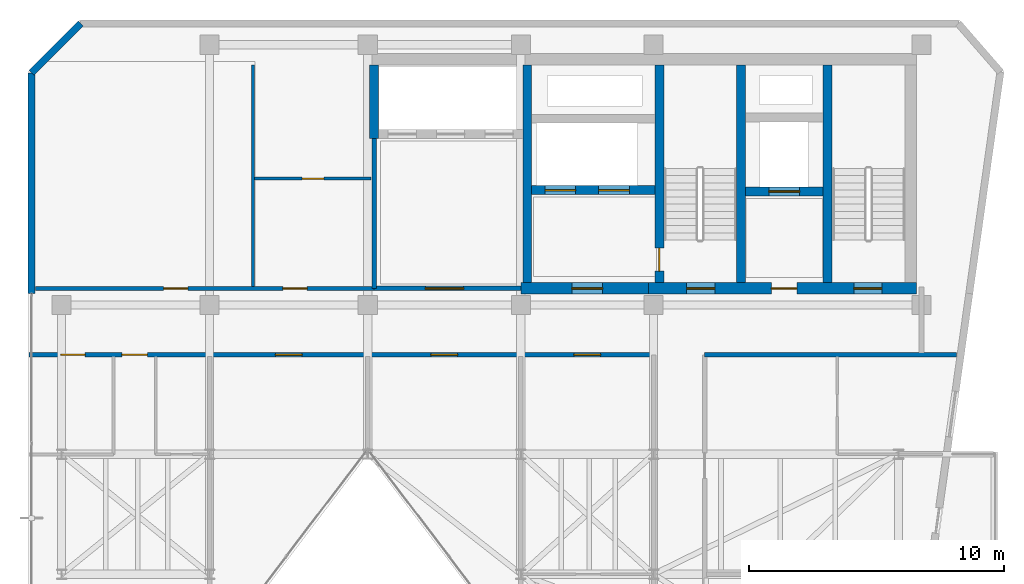
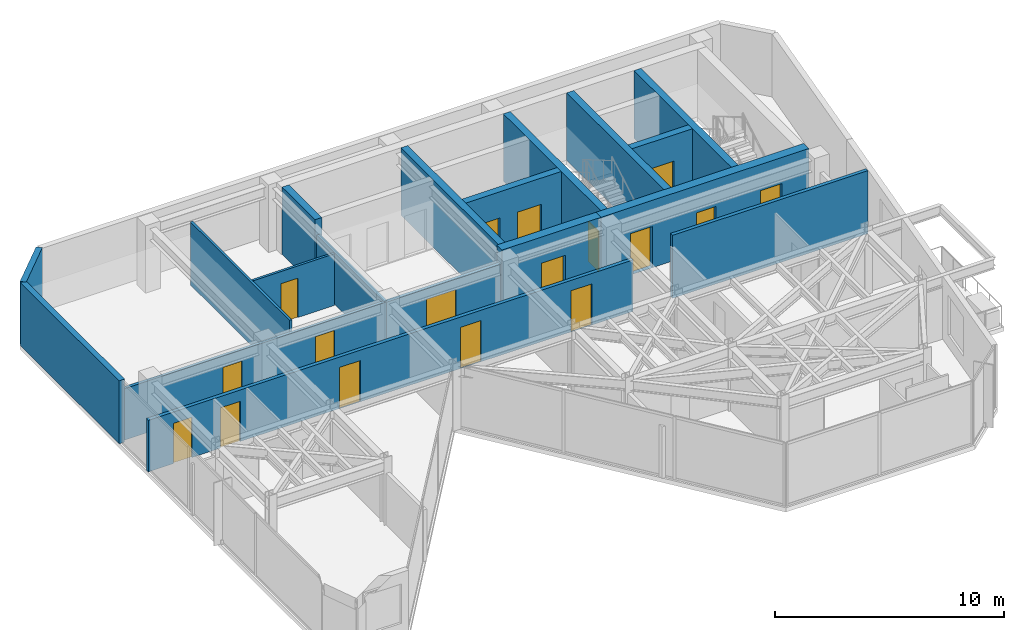
# One storey, part 14 of 17: 18 walls, 17 doors, 17 openings.
"""IFC4 building model written with IfcOpenShell, lengths in metres."""

from ifc_helpers import new_model, si_unit, direction, frame, frame_2d, origin, place, context, subcontext, project, spatial, rectangle, extrude, material, layer, layer_set, type_object, element, fill, save


model = new_model("IFC4")

# Units and contexts
model_context = context("Model", 3, precision=1e-05, world=origin(), true_north=direction((0.0, 1.0)))
body_context = subcontext(model_context, "Body", "Model", "MODEL_VIEW")
ifc_project = project(units=[si_unit("LENGTHUNIT", "METRE"), si_unit("AREAUNIT", "SQUARE_METRE"), si_unit("VOLUMEUNIT", "CUBIC_METRE"), si_unit("PLANEANGLEUNIT", "RADIAN"), si_unit("MASSUNIT", "GRAM", prefix="KILO")], contexts=[model_context])

# Site, building, storey
site_placement = place(None, origin())
site = spatial("IfcSite", under=ifc_project, at=site_placement, CompositionType="ELEMENT")
building_placement = place(site_placement, origin())
building = spatial("IfcBuilding", under=site, at=building_placement, Name="Kravanh Interchange Tower", CompositionType="ELEMENT")
storey_placement = place(building_placement, frame((0.0, 0.0, 289.5)))
storey = spatial("IfcBuildingStorey", under=building, at=storey_placement, Name="L71", CompositionType="ELEMENT", Elevation=289.5)

# Wall
ifc_material_1 = material(Name="Double Acoustic Gypsum Board and Mineral Wool")
ifc_layer_1 = layer(ifc_material_1, 0.1201171875)
ifc_layer_set_1 = layer_set([ifc_layer_1], Name="Acoustic Office Drywall Partition 120mm")
wall_type_1 = type_object("IfcWallType", Name="Acoustic Office Drywall Partition 120mm", PredefinedType="PARTITIONING", material=ifc_layer_set_1)
wall_1_placement = place(storey_placement, frame((40.300048828125, 38.068115234375, 0.0), z_axis=(0.0, 0.0, 1.0), x_axis=(0.0, 1.0, 0.0)))
element("IfcWall", 1, at=wall_1_placement, inside=storey, type_object=wall_type_1, Name="L71 Interior Partition 5", PredefinedType="PARTITIONING", context=body_context, shape_type="SweptSolid", body=[
    extrude(rectangle(XDim=8.681884765625, YDim=0.1201171875, at=frame_2d((4.3408203125, 0.0))), origin(), (0.0, 0.0, 1.0), 3.364990234375),
])

# Wall, opening, door
wall_2_placement = place(storey_placement, frame((40.367919921875, 42.300048828125, 0.0), z_axis=(0.0, 0.0, 1.0), x_axis=(1.0, 0.0, 0.0)))
wall_2 = element("IfcWall", 2, at=wall_2_placement, inside=storey, type_object=wall_type_1, Name="L71 Interior Partition 6", PredefinedType="PARTITIONING", context=body_context, shape_type="SweptSolid", body=[
    extrude(rectangle(XDim=4.56396484375, YDim=0.1201171875, at=frame_2d((2.281982421875, 0.0))), origin(), (0.0, 0.0, 1.0), 2.75390625),
])
opening_1_placement = place(wall_2_placement, frame((1.85693359375, 0.0, 0.0)))
opening_1 = element("IfcOpeningElement", 3, at=opening_1_placement, cuts=wall_2, Name="Opening D-85", PredefinedType="OPENING", context=body_context, shape_type="SweptSolid", body=[
    extrude(rectangle(XDim=0.85009765625, YDim=2.10009765625, at=frame_2d((0.425048828125, 1.050048828125))), frame((0.0, 0.070068359375, 0.0), z_axis=(0.0, -1.0, 0.0), x_axis=(1.0, 0.0, 0.0)), (0.0, 0.0, 1.0), 0.14013671875),
])
ifc_material_2 = material(Name="Engineered Teak Veneer Timber", Category="wood")
door_type_1 = type_object("IfcDoorType", Name="En-Suite Timber Door 850x2100", OperationType="NOTDEFINED", PredefinedType="DOOR", material=ifc_material_2)
door_1_placement = place(opening_1_placement, origin())
door_1 = element("IfcDoor", 4, at=door_1_placement, inside=storey, type_object=door_type_1, Name="L71 North Beverage Study Inner Door", OperationType="SINGLE_SWING_RIGHT", OverallHeight=2.10009765625, OverallWidth=0.85009765625, PredefinedType="DOOR", context=body_context, shape_type="SweptSolid", body=[
    extrude(rectangle(XDim=0.85009765625, YDim=2.10009765625, at=frame_2d((0.425048828125, 1.050048828125))), frame((0.0, 0.02490234375, 0.0), z_axis=(0.0, -1.0, 0.0), x_axis=(1.0, 0.0, 0.0)), (0.0, 0.0, 1.0), 0.050048828125),
])
fill(opening_1, door_1)

# Walls
ifc_material_3 = material(Name="Concrete C60/75", Category="concrete")
ifc_layer_2 = layer(ifc_material_3, 0.35009765625)
ifc_layer_set_2 = layer_set([ifc_layer_2], Name="Core Shear Wall Concrete C60/75 350mm")
wall_type_2 = type_object("IfcWallType", Name="Core Shear Wall Concrete C60/75 350mm", PredefinedType="SHEAR", material=ifc_layer_set_2)
for number, where, z_axis, x_axis, name in (
    (5, (62.824951171875, 38.22509765625, 0.0), (0.0, 0.0, 1.0), (0.0, 1.0, 0.0), "L71 Stair ST1 West Shear Wall"),
    (6, (59.425048828125, 38.22509765625, 0.0), (0.0, 0.0, 1.0), (0.0, 1.0, 0.0), "L71 Stair ST2 East Shear Wall"),
):
    element("IfcWall", number, at=place(storey_placement, frame(where, z_axis=z_axis, x_axis=x_axis)), inside=storey, type_object=wall_type_2, Name=name, PredefinedType="SHEAR", context=body_context, shape_type="SweptSolid", body=[
        extrude(rectangle(XDim=8.52490234375, YDim=0.35009765625, at=frame_2d((4.262451171875, 0.0))), origin(), (0.0, 0.0, 1.0), 3.60009765625),
    ])

# Wall, opening, door
wall_3_placement = place(storey_placement, frame((56.22509765625, 38.22509765625, 0.0), z_axis=(0.0, 0.0, 1.0), x_axis=(0.0, 1.0, 0.0)))
wall_3 = element("IfcWall", 7, at=wall_3_placement, inside=storey, type_object=wall_type_2, Name="L71 Stair ST2 West Shear Wall", PredefinedType="SHEAR", context=body_context, shape_type="SweptSolid", body=[
    extrude(rectangle(XDim=8.52490234375, YDim=0.35009765625, at=frame_2d((4.262451171875, 0.0))), origin(), (0.0, 0.0, 1.0), 3.60009765625),
])
opening_2_placement = place(wall_3_placement, frame((0.455078125, 0.0, 0.0)))
opening_2 = element("IfcOpeningElement", 8, at=opening_2_placement, cuts=wall_3, Name="Opening D-STAIR-90", PredefinedType="OPENING", context=body_context, shape_type="SweptSolid", body=[
    extrude(rectangle(XDim=0.89990234375, YDim=2.14990234375, at=frame_2d((0.449951171875, 1.074951171875))), frame((0.0, 0.18505859375, 0.0), z_axis=(0.0, -1.0, 0.0), x_axis=(1.0, 0.0, 0.0)), (0.0, 0.0, 1.0), 0.3701171875),
])
ifc_material_4 = material(Name="Structural Steel S355", Category="steel")
door_type_2 = type_object("IfcDoorType", Name="Fire-Rated Stair Lobby Door 900x2150", OperationType="NOTDEFINED", PredefinedType="DOOR", material=ifc_material_4)
door_2_placement = place(opening_2_placement, origin())
door_2 = element("IfcDoor", 9, at=door_2_placement, inside=storey, type_object=door_type_2, Name="L71 Firefighting Lobby to Stair ST2 Door", OperationType="SINGLE_SWING_LEFT", OverallHeight=2.14990234375, OverallWidth=0.89990234375, PredefinedType="DOOR", context=body_context, shape_type="SweptSolid", body=[
    extrude(rectangle(XDim=0.89990234375, YDim=2.14990234375, at=frame_2d((0.449951171875, 1.074951171875))), frame((0.0, 0.02490234375, 0.0), z_axis=(0.0, -1.0, 0.0), x_axis=(1.0, 0.0, 0.0)), (0.0, 0.0, 1.0), 0.050048828125),
])
fill(opening_2, door_2)

wall_4_placement = place(storey_placement, frame((59.60009765625, 41.800048828125, 0.0), z_axis=(0.0, 0.0, 1.0), x_axis=(1.0, 0.0, 0.0)))
wall_4 = element("IfcWall", 10, at=wall_4_placement, inside=storey, type_object=wall_type_2, Name="L71 Service Lift Shaft South Wall", PredefinedType="SHEAR", context=body_context, shape_type="SweptSolid", body=[
    extrude(rectangle(XDim=3.0498046875, YDim=0.35009765625, at=frame_2d((1.52490234375, 0.0))), origin(), (0.0, 0.0, 1.0), 3.60009765625),
])
opening_3_placement = place(wall_4_placement, frame((0.919921875, 0.0, 0.0)))
opening_3 = element("IfcOpeningElement", 11, at=opening_3_placement, cuts=wall_4, Name="Opening LD02", PredefinedType="OPENING", context=body_context, shape_type="SweptSolid", body=[
    extrude(rectangle(XDim=1.199951171875, YDim=2.199951171875, at=frame_2d((0.60009765625, 1.10009765625))), frame((0.0, 0.18505859375, 0.0), z_axis=(0.0, -1.0, 0.0), x_axis=(1.0, 0.0, 0.0)), (0.0, 0.0, 1.0), 0.3701171875),
])
ifc_material_5 = material(Name="Stainless Steel 316", Category="steel")
door_type_3 = type_object("IfcDoorType", Name="Fire and Service Lift Sliding Landing Door 1200x2200", OperationType="DOUBLE_DOOR_SLIDING", PredefinedType="DOOR", material=ifc_material_5)
door_3_placement = place(opening_3_placement, origin())
door_3 = element("IfcDoor", 12, at=door_3_placement, inside=storey, type_object=door_type_3, Name="L71 Lift LS-01 Landing Door", OperationType="DOUBLE_DOOR_SLIDING", OverallHeight=2.199951171875, OverallWidth=1.199951171875, PredefinedType="DOOR", context=body_context, shape_type="SweptSolid", body=[
    extrude(rectangle(XDim=1.199951171875, YDim=2.199951171875, at=frame_2d((0.60009765625, 1.10009765625))), frame((0.0, 0.02490234375, 0.0), z_axis=(0.0, -1.0, 0.0), x_axis=(1.0, 0.0, 0.0)), (0.0, 0.0, 1.0), 0.050048828125),
])
fill(opening_3, door_3)

# Wall, openings, doors
wall_5_placement = place(storey_placement, frame((51.22509765625, 41.85009765625, 0.0), z_axis=(0.0, 0.0, 1.0), x_axis=(1.0, 0.0, 0.0)))
wall_5 = element("IfcWall", 13, at=wall_5_placement, inside=storey, type_object=wall_type_2, Name="L71 Fire Lift Shaft South Wall", PredefinedType="SHEAR", context=body_context, shape_type="SweptSolid", body=[
    extrude(rectangle(XDim=4.824951171875, YDim=0.35009765625, at=frame_2d((2.41259765625, 0.0))), origin(), (0.0, 0.0, 1.0), 3.60009765625),
])
opening_4_placement = place(wall_5_placement, frame((0.52490234375, 0.0, 0.0)))
opening_4 = element("IfcOpeningElement", 14, at=opening_4_placement, cuts=wall_5, Name="Opening LD02", PredefinedType="OPENING", context=body_context, shape_type="SweptSolid", body=[
    extrude(rectangle(XDim=1.199951171875, YDim=2.199951171875, at=frame_2d((0.60009765625, 1.10009765625))), frame((0.0, 0.18505859375, 0.0), z_axis=(0.0, -1.0, 0.0), x_axis=(1.0, 0.0, 0.0)), (0.0, 0.0, 1.0), 0.3701171875),
])
opening_5_placement = place(wall_5_placement, frame((2.625, 0.0, 0.0)))
opening_5 = element("IfcOpeningElement", 15, at=opening_5_placement, cuts=wall_5, Name="Opening LD02", PredefinedType="OPENING", context=body_context, shape_type="SweptSolid", body=[
    extrude(rectangle(XDim=1.199951171875, YDim=2.199951171875, at=frame_2d((0.60009765625, 1.10009765625))), frame((0.0, 0.18505859375, 0.0), z_axis=(0.0, -1.0, 0.0), x_axis=(1.0, 0.0, 0.0)), (0.0, 0.0, 1.0), 0.3701171875),
])
door_4_placement = place(opening_4_placement, origin())
door_4 = element("IfcDoor", 16, at=door_4_placement, inside=storey, type_object=door_type_3, Name="L71 Lift FSAE-01 Landing Door", OperationType="DOUBLE_DOOR_SLIDING", OverallHeight=2.199951171875, OverallWidth=1.199951171875, PredefinedType="DOOR", context=body_context, shape_type="SweptSolid", body=[
    extrude(rectangle(XDim=1.199951171875, YDim=2.199951171875, at=frame_2d((0.60009765625, 1.10009765625))), frame((0.0, 0.02490234375, 0.0), z_axis=(0.0, -1.0, 0.0), x_axis=(1.0, 0.0, 0.0)), (0.0, 0.0, 1.0), 0.050048828125),
])
fill(opening_4, door_4)
door_5_placement = place(opening_5_placement, origin())
door_5 = element("IfcDoor", 17, at=door_5_placement, inside=storey, type_object=door_type_3, Name="L71 Lift FSAE-02 Landing Door", OperationType="DOUBLE_DOOR_SLIDING", OverallHeight=2.199951171875, OverallWidth=1.199951171875, PredefinedType="DOOR", context=body_context, shape_type="SweptSolid", body=[
    extrude(rectangle(XDim=1.199951171875, YDim=2.199951171875, at=frame_2d((0.60009765625, 1.10009765625))), frame((0.0, 0.02490234375, 0.0), z_axis=(0.0, -1.0, 0.0), x_axis=(1.0, 0.0, 0.0)), (0.0, 0.0, 1.0), 0.050048828125),
])
fill(opening_5, door_5)

# Walls
wall_6_placement = place(storey_placement, frame((51.050048828125, 38.22509765625, 0.0), z_axis=(0.0, 0.0, 1.0), x_axis=(0.0, 1.0, 0.0)))
element("IfcWall", 18, at=wall_6_placement, inside=storey, type_object=wall_type_2, Name="L71 Firefighting Lobby West Wall", PredefinedType="SHEAR", context=body_context, shape_type="SweptSolid", body=[
    extrude(rectangle(XDim=8.52490234375, YDim=0.35009765625, at=frame_2d((4.262451171875, 0.0))), origin(), (0.0, 0.0, 1.0), 3.60009765625),
])
wall_7_placement = place(storey_placement, frame((45.050048828125, 43.875, 0.0), z_axis=(0.0, 0.0, 1.0), x_axis=(0.0, 1.0, 0.0)))
element("IfcWall", 19, at=wall_7_placement, inside=storey, type_object=wall_type_2, Name="L71 High-Rise Lift Shaft West Wall", PredefinedType="SHEAR", context=body_context, shape_type="SweptSolid", body=[
    extrude(rectangle(XDim=2.875, YDim=0.35009765625, at=frame_2d((1.4375, 0.0))), origin(), (0.0, 0.0, 1.0), 3.60009765625),
])

# Wall, openings, doors
ifc_material_6 = material(Name="Concrete C60/75", Category="concrete")
ifc_layer_3 = layer(ifc_material_6, 0.449951171875)
ifc_layer_set_3 = layer_set([ifc_layer_3], Name="Core Shear Wall Concrete C60/75 450mm")
wall_type_3 = type_object("IfcWallType", Name="Core Shear Wall Concrete C60/75 450mm", PredefinedType="SHEAR", material=ifc_layer_set_3)
wall_8_placement = place(storey_placement, frame((55.800048828125, 38.0, 0.0), z_axis=(0.0, 0.0, 1.0), x_axis=(1.0, 0.0, 0.0)))
wall_8 = element("IfcWall", 20, at=wall_8_placement, inside=storey, type_object=wall_type_3, Name="L71 East Core South Shear Wall", PredefinedType="SHEAR", context=body_context, shape_type="SweptSolid", body=[
    extrude(rectangle(XDim=10.5, YDim=0.449951171875, at=frame_2d((5.25, 0.0))), origin(), (0.0, 0.0, 1.0), 3.60009765625),
])
opening_6_placement = place(wall_8_placement, frame((1.5, 0.0, 0.0)))
opening_6 = element("IfcOpeningElement", 21, at=opening_6_placement, cuts=wall_8, Name="Opening D-STAIR-110", PredefinedType="OPENING", context=body_context, shape_type="SweptSolid", body=[
    extrude(rectangle(XDim=1.10009765625, YDim=2.199951171875, at=frame_2d((0.550048828125, 1.10009765625))), frame((0.0, 0.23486328125, 0.0), z_axis=(0.0, -1.0, 0.0), x_axis=(1.0, 0.0, 0.0)), (0.0, 0.0, 1.0), 0.469970703125),
])
opening_7_placement = place(wall_8_placement, frame((4.820068359375, 0.0, 0.0)))
opening_7 = element("IfcOpeningElement", 22, at=opening_7_placement, cuts=wall_8, Name="Opening D-HOTEL-100", PredefinedType="OPENING", context=body_context, shape_type="SweptSolid", body=[
    extrude(rectangle(XDim=1.0, YDim=2.14990234375, at=frame_2d((0.5, 1.074951171875))), frame((0.0, 0.23486328125, 0.0), z_axis=(0.0, -1.0, 0.0), x_axis=(1.0, 0.0, 0.0)), (0.0, 0.0, 1.0), 0.469970703125),
])
opening_8_placement = place(wall_8_placement, frame((8.050048828125, 0.0, 0.0)))
opening_8 = element("IfcOpeningElement", 23, at=opening_8_placement, cuts=wall_8, Name="Opening D-STAIR-110", PredefinedType="OPENING", context=body_context, shape_type="SweptSolid", body=[
    extrude(rectangle(XDim=1.10009765625, YDim=2.199951171875, at=frame_2d((0.550048828125, 1.10009765625))), frame((0.0, 0.23486328125, 0.0), z_axis=(0.0, -1.0, 0.0), x_axis=(1.0, 0.0, 0.0)), (0.0, 0.0, 1.0), 0.469970703125),
])
ifc_material_7 = material(Name="Structural Steel S355", Category="steel")
door_type_4 = type_object("IfcDoorType", Name="Fire-Rated Exit Stair Door 1100x2200", OperationType="NOTDEFINED", PredefinedType="DOOR", material=ifc_material_7)
door_6_placement = place(opening_6_placement, origin())
door_6 = element("IfcDoor", 24, at=door_6_placement, inside=storey, type_object=door_type_4, Name="L71 Exit Stair ST2 Door", OperationType="SINGLE_SWING_RIGHT", OverallHeight=2.199951171875, OverallWidth=1.10009765625, PredefinedType="DOOR", context=body_context, shape_type="SweptSolid", body=[
    extrude(rectangle(XDim=1.10009765625, YDim=2.199951171875, at=frame_2d((0.550048828125, 1.10009765625))), frame((0.0, 0.02490234375, 0.0), z_axis=(0.0, -1.0, 0.0), x_axis=(1.0, 0.0, 0.0)), (0.0, 0.0, 1.0), 0.050048828125),
])
fill(opening_6, door_6)
door_7_placement = place(opening_8_placement, origin())
door_7 = element("IfcDoor", 25, at=door_7_placement, inside=storey, type_object=door_type_4, Name="L71 Exit Stair ST1 Door", OperationType="SINGLE_SWING_RIGHT", OverallHeight=2.199951171875, OverallWidth=1.10009765625, PredefinedType="DOOR", context=body_context, shape_type="SweptSolid", body=[
    extrude(rectangle(XDim=1.10009765625, YDim=2.199951171875, at=frame_2d((0.550048828125, 1.10009765625))), frame((0.0, 0.02490234375, 0.0), z_axis=(0.0, -1.0, 0.0), x_axis=(1.0, 0.0, 0.0)), (0.0, 0.0, 1.0), 0.050048828125),
])
fill(opening_8, door_7)
ifc_material_8 = material(Name="Fire-Rated Solid Timber Leaf", Category="wood")
door_type_5 = type_object("IfcDoorType", Name="Fire-Rated Suite Entrance Door 1000x2150", OperationType="NOTDEFINED", PredefinedType="DOOR", material=ifc_material_8)
door_8_placement = place(opening_7_placement, origin())
door_8 = element("IfcDoor", 26, at=door_8_placement, inside=storey, type_object=door_type_5, Name="L71 Service Lift Lobby Door", OperationType="SINGLE_SWING_RIGHT", OverallHeight=2.14990234375, OverallWidth=1.0, PredefinedType="DOOR", context=body_context, shape_type="SweptSolid", body=[
    extrude(rectangle(XDim=1.0, YDim=2.14990234375, at=frame_2d((0.5, 1.074951171875))), frame((0.0, 0.02490234375, 0.0), z_axis=(0.0, -1.0, 0.0), x_axis=(1.0, 0.0, 0.0)), (0.0, 0.0, 1.0), 0.050048828125),
])
fill(opening_7, door_8)

# Wall, opening, door
wall_9_placement = place(storey_placement, frame((50.800048828125, 38.0, 0.0), z_axis=(0.0, 0.0, 1.0), x_axis=(1.0, 0.0, 0.0)))
wall_9 = element("IfcWall", 27, at=wall_9_placement, inside=storey, type_object=wall_type_3, Name="L71 Firefighting Lobby South Shear Wall", PredefinedType="SHEAR", context=body_context, shape_type="SweptSolid", body=[
    extrude(rectangle(XDim=5.0, YDim=0.449951171875, at=frame_2d((2.5, 0.0))), origin(), (0.0, 0.0, 1.0), 3.60009765625),
])
opening_9_placement = place(wall_9_placement, frame((2.0, 0.0, 0.0)))
opening_9 = element("IfcOpeningElement", 28, at=opening_9_placement, cuts=wall_9, Name="Opening D-FSAE-120", PredefinedType="OPENING", context=body_context, shape_type="SweptSolid", body=[
    extrude(rectangle(XDim=1.199951171875, YDim=2.199951171875, at=frame_2d((0.60009765625, 1.10009765625))), frame((0.0, 0.23486328125, 0.0), z_axis=(0.0, -1.0, 0.0), x_axis=(1.0, 0.0, 0.0)), (0.0, 0.0, 1.0), 0.469970703125),
])
ifc_material_9 = material(Name="Structural Steel S355", Category="steel")
door_type_6 = type_object("IfcDoorType", Name="Fire-Rated Refuge and FSAE Door 1200x2200", OperationType="NOTDEFINED", PredefinedType="DOOR", material=ifc_material_9)
door_9_placement = place(opening_9_placement, origin())
door_9 = element("IfcDoor", 29, at=door_9_placement, inside=storey, type_object=door_type_6, Name="L71 Firefighting Lobby Corridor Door", OperationType="SINGLE_SWING_RIGHT", OverallHeight=2.199951171875, OverallWidth=1.199951171875, PredefinedType="DOOR", context=body_context, shape_type="SweptSolid", body=[
    extrude(rectangle(XDim=1.199951171875, YDim=2.199951171875, at=frame_2d((0.60009765625, 1.10009765625))), frame((0.0, 0.02490234375, 0.0), z_axis=(0.0, -1.0, 0.0), x_axis=(1.0, 0.0, 0.0)), (0.0, 0.0, 1.0), 0.050048828125),
])
fill(opening_9, door_9)

# Walls
ifc_material_10 = material(Name="Insulated Precast Concrete C40/50 with Bronze Cladding", Category="concrete")
ifc_layer_4 = layer(ifc_material_10, 0.280029296875)
ifc_layer_set_4 = layer_set([ifc_layer_4], Name="Exterior Insulated Concrete C40/50 Bronze Spandrel Wall 280mm")
wall_type_4 = type_object("IfcWallType", Name="Exterior Insulated Concrete C40/50 Bronze Spandrel Wall 280mm", PredefinedType="STANDARD", material=ifc_layer_set_4)
wall_10_placement = place(storey_placement, frame((31.6201171875, 37.800048828125, 0.0), z_axis=(0.0, 0.0, 1.0), x_axis=(0.0, 1.0, 0.0)))
element("IfcWall", 30, at=wall_10_placement, inside=storey, type_object=wall_type_4, Name="L71 Exterior Wall 1", PredefinedType="STANDARD", context=body_context, shape_type="SweptSolid", body=[
    extrude(rectangle(XDim=8.650146484375, YDim=0.280029296875, at=frame_2d((4.3251953125, 0.0))), origin(), (0.0, 0.0, 1.0), 3.364990234375),
])
wall_11_placement = place(storey_placement, frame((31.6201171875, 46.4501953125, 0.0), z_axis=(0.0, 0.0, 1.0), x_axis=(0.707106781187, 0.707106781187, 0.0)))
element("IfcWall", 31, at=wall_11_placement, inside=storey, type_object=wall_type_4, Name="L71 Exterior Wall 2", PredefinedType="STANDARD", context=body_context, shape_type="SweptSolid", body=[
    extrude(rectangle(XDim=2.72900390625, YDim=0.280029296875, at=frame_2d((1.364501953125, 0.0))), origin(), (0.0, 0.0, 1.0), 3.364990234375),
])

# Wall, opening, door
ifc_material_11 = material(Name="Autoclaved Aerated Concrete C30/37 Blockwork", Category="masonry")
ifc_layer_5 = layer(ifc_material_11, 0.179931640625)
ifc_layer_set_5 = layer_set([ifc_layer_5], Name="Fire-Rated Lobby and Corridor Wall Concrete C30/37 180mm")
wall_type_5 = type_object("IfcWallType", Name="Fire-Rated Lobby and Corridor Wall Concrete C30/37 180mm", PredefinedType="STANDARD", material=ifc_layer_set_5)
wall_12_placement = place(storey_placement, frame((45.050048828125, 38.0, 0.0), z_axis=(0.0, 0.0, 1.0), x_axis=(1.0, 0.0, 0.0)))
wall_12 = element("IfcWall", 32, at=wall_12_placement, inside=storey, type_object=wall_type_5, Name="L71 High-Rise Lift Lobby Wall 1", PredefinedType="STANDARD", context=body_context, shape_type="SweptSolid", body=[
    extrude(rectangle(XDim=5.75, YDim=0.179931640625, at=frame_2d((2.875, 0.0))), origin(), (0.0, 0.0, 1.0), 2.75390625),
])
opening_10_placement = place(wall_12_placement, frame((2.0087890625, 0.0, 0.0)))
opening_10 = element("IfcOpeningElement", 33, at=opening_10_placement, cuts=wall_12, Name="Opening DBL-150", PredefinedType="OPENING", context=body_context, shape_type="SweptSolid", body=[
    extrude(rectangle(XDim=1.5, YDim=2.199951171875, at=frame_2d((0.75, 1.10009765625))), frame((0.0, 0.10009765625, 0.0), z_axis=(0.0, -1.0, 0.0), x_axis=(1.0, 0.0, 0.0)), (0.0, 0.0, 1.0), 0.199951171875),
])
ifc_material_12 = material(Name="Acoustic Timber and Toughened Glass", Category="wood")
door_type_7 = type_object("IfcDoorType", Name="Conference Hall Double Door 1500x2200", OperationType="DOUBLE_DOOR_SINGLE_SWING", PredefinedType="DOOR", material=ifc_material_12)
door_10_placement = place(opening_10_placement, origin())
door_10 = element("IfcDoor", 34, at=door_10_placement, inside=storey, type_object=door_type_7, Name="L71 High-Rise Lift Lobby Door", OperationType="DOUBLE_DOOR_SINGLE_SWING", OverallHeight=2.199951171875, OverallWidth=1.5, PredefinedType="DOOR", context=body_context, shape_type="SweptSolid", body=[
    extrude(rectangle(XDim=1.5, YDim=2.199951171875, at=frame_2d((0.75, 1.10009765625))), frame((0.0, 0.02490234375, 0.0), z_axis=(0.0, -1.0, 0.0), x_axis=(1.0, 0.0, 0.0)), (0.0, 0.0, 1.0), 0.050048828125),
])
fill(opening_10, door_10)

# Wall
wall_13_placement = place(storey_placement, frame((45.050048828125, 38.0, 0.0), z_axis=(0.0, 0.0, 1.0), x_axis=(0.0, 1.0, 0.0)))
element("IfcWall", 35, at=wall_13_placement, inside=storey, type_object=wall_type_5, Name="L71 Interior Partition 2", PredefinedType="STANDARD", context=body_context, shape_type="SweptSolid", body=[
    extrude(rectangle(XDim=5.875, YDim=0.179931640625, at=frame_2d((2.9375, 0.0))), origin(), (0.0, 0.0, 1.0), 2.75390625),
])

# Wall, openings, doors
wall_14_placement = place(storey_placement, frame((31.514892578125, 35.39990234375, 0.0), z_axis=(0.0, 0.0, 1.0), x_axis=(1.0, 0.0, 0.0)))
wall_14 = element("IfcWall", 36, at=wall_14_placement, inside=storey, type_object=wall_type_5, Name="L71 Interior Partition 7", PredefinedType="STANDARD", context=body_context, shape_type="SweptSolid", body=[
    extrude(rectangle(XDim=24.485107421875, YDim=0.179931640625, at=frame_2d((12.24267578125, 0.0))), origin(), (0.0, 0.0, 1.0), 2.75390625),
])
opening_11_placement = place(wall_14_placement, frame((1.25927734375, 0.0, 0.0)))
opening_11 = element("IfcOpeningElement", 37, at=opening_11_placement, cuts=wall_14, Name="Opening D-95", PredefinedType="OPENING", context=body_context, shape_type="SweptSolid", body=[
    extrude(rectangle(XDim=0.949951171875, YDim=2.14990234375, at=frame_2d((0.47509765625, 1.074951171875))), frame((0.0, 0.10009765625, 0.0), z_axis=(0.0, -1.0, 0.0), x_axis=(1.0, 0.0, 0.0)), (0.0, 0.0, 1.0), 0.199951171875),
])
opening_12_placement = place(wall_14_placement, frame((3.64990234375, 0.0, 0.0)))
opening_12 = element("IfcOpeningElement", 38, at=opening_12_placement, cuts=wall_14, Name="Opening D-HOTEL-100", PredefinedType="OPENING", context=body_context, shape_type="SweptSolid", body=[
    extrude(rectangle(XDim=1.0, YDim=2.14990234375, at=frame_2d((0.5, 1.074951171875))), frame((0.0, 0.10009765625, 0.0), z_axis=(0.0, -1.0, 0.0), x_axis=(1.0, 0.0, 0.0)), (0.0, 0.0, 1.0), 0.199951171875),
])
opening_13_placement = place(wall_14_placement, frame((9.659912109375, 0.0, 0.0)))
opening_13 = element("IfcOpeningElement", 39, at=opening_13_placement, cuts=wall_14, Name="Opening D-105", PredefinedType="OPENING", context=body_context, shape_type="SweptSolid", body=[
    extrude(rectangle(XDim=1.050048828125, YDim=2.199951171875, at=frame_2d((0.52490234375, 1.10009765625))), frame((0.0, 0.10009765625, 0.0), z_axis=(0.0, -1.0, 0.0), x_axis=(1.0, 0.0, 0.0)), (0.0, 0.0, 1.0), 0.199951171875),
])
opening_14_placement = place(wall_14_placement, frame((15.760009765625, 0.0, 0.0)))
opening_14 = element("IfcOpeningElement", 40, at=opening_14_placement, cuts=wall_14, Name="Opening D-105", PredefinedType="OPENING", context=body_context, shape_type="SweptSolid", body=[
    extrude(rectangle(XDim=1.050048828125, YDim=2.199951171875, at=frame_2d((0.52490234375, 1.10009765625))), frame((0.0, 0.10009765625, 0.0), z_axis=(0.0, -1.0, 0.0), x_axis=(1.0, 0.0, 0.0)), (0.0, 0.0, 1.0), 0.199951171875),
])
opening_15_placement = place(wall_14_placement, frame((21.360107421875, 0.0, 0.0)))
opening_15 = element("IfcOpeningElement", 41, at=opening_15_placement, cuts=wall_14, Name="Opening D-105", PredefinedType="OPENING", context=body_context, shape_type="SweptSolid", body=[
    extrude(rectangle(XDim=1.050048828125, YDim=2.199951171875, at=frame_2d((0.52490234375, 1.10009765625))), frame((0.0, 0.10009765625, 0.0), z_axis=(0.0, -1.0, 0.0), x_axis=(1.0, 0.0, 0.0)), (0.0, 0.0, 1.0), 0.199951171875),
])
ifc_material_13 = material(Name="Laminate Solid-Core Timber", Category="wood")
door_type_8 = type_object("IfcDoorType", Name="Accessible Restroom Door 950x2150", OperationType="NOTDEFINED", PredefinedType="DOOR", material=ifc_material_13)
door_11_placement = place(opening_11_placement, origin())
door_11 = element("IfcDoor", 42, at=door_11_placement, inside=storey, type_object=door_type_8, Name="L71 Accessible WC Door", OperationType="SINGLE_SWING_LEFT", OverallHeight=2.14990234375, OverallWidth=0.949951171875, PredefinedType="DOOR", context=body_context, shape_type="SweptSolid", body=[
    extrude(rectangle(XDim=0.949951171875, YDim=2.14990234375, at=frame_2d((0.47509765625, 1.074951171875))), frame((0.0, 0.02490234375, 0.0), z_axis=(0.0, -1.0, 0.0), x_axis=(1.0, 0.0, 0.0)), (0.0, 0.0, 1.0), 0.050048828125),
])
fill(opening_11, door_11)
door_12_placement = place(opening_12_placement, origin())
door_12 = element("IfcDoor", 43, at=door_12_placement, inside=storey, type_object=door_type_5, Name="L71 Skyline Panorama Hotel Suite 6A Entrance Door", OperationType="SINGLE_SWING_RIGHT", OverallHeight=2.14990234375, OverallWidth=1.0, PredefinedType="DOOR", context=body_context, shape_type="SweptSolid", body=[
    extrude(rectangle(XDim=1.0, YDim=2.14990234375, at=frame_2d((0.5, 1.074951171875))), frame((0.0, 0.02490234375, 0.0), z_axis=(0.0, -1.0, 0.0), x_axis=(1.0, 0.0, 0.0)), (0.0, 0.0, 1.0), 0.050048828125),
])
fill(opening_12, door_12)
ifc_material_14 = material(Name="Acoustic Glazed Oak and Aluminium", Category="aluminium")
door_type_9 = type_object("IfcDoorType", Name="Office Workplace Door 1050x2200", OperationType="NOTDEFINED", PredefinedType="DOOR", material=ifc_material_14)
door_13_placement = place(opening_13_placement, origin())
door_13 = element("IfcDoor", 44, at=door_13_placement, inside=storey, type_object=door_type_9, Name="L71 Diplomatic Boardroom Meeting 6A Door", OperationType="SINGLE_SWING_RIGHT", OverallHeight=2.199951171875, OverallWidth=1.050048828125, PredefinedType="DOOR", context=body_context, shape_type="SweptSolid", body=[
    extrude(rectangle(XDim=1.050048828125, YDim=2.199951171875, at=frame_2d((0.52490234375, 1.10009765625))), frame((0.0, 0.02490234375, 0.0), z_axis=(0.0, -1.0, 0.0), x_axis=(1.0, 0.0, 0.0)), (0.0, 0.0, 1.0), 0.050048828125),
])
fill(opening_13, door_13)
door_14_placement = place(opening_14_placement, origin())
door_14 = element("IfcDoor", 45, at=door_14_placement, inside=storey, type_object=door_type_9, Name="L71 Protocol Caucus Meeting 6B Door", OperationType="SINGLE_SWING_LEFT", OverallHeight=2.199951171875, OverallWidth=1.050048828125, PredefinedType="DOOR", context=body_context, shape_type="SweptSolid", body=[
    extrude(rectangle(XDim=1.050048828125, YDim=2.199951171875, at=frame_2d((0.52490234375, 1.10009765625))), frame((0.0, 0.02490234375, 0.0), z_axis=(0.0, -1.0, 0.0), x_axis=(1.0, 0.0, 0.0)), (0.0, 0.0, 1.0), 0.050048828125),
])
fill(opening_14, door_14)
door_15_placement = place(opening_15_placement, origin())
door_15 = element("IfcDoor", 46, at=door_15_placement, inside=storey, type_object=door_type_9, Name="L71 Sky Seminar Meeting 6C Door", OperationType="SINGLE_SWING_LEFT", OverallHeight=2.199951171875, OverallWidth=1.050048828125, PredefinedType="DOOR", context=body_context, shape_type="SweptSolid", body=[
    extrude(rectangle(XDim=1.050048828125, YDim=2.199951171875, at=frame_2d((0.52490234375, 1.10009765625))), frame((0.0, 0.02490234375, 0.0), z_axis=(0.0, -1.0, 0.0), x_axis=(1.0, 0.0, 0.0)), (0.0, 0.0, 1.0), 0.050048828125),
])
fill(opening_15, door_15)

# Wall
wall_15_placement = place(storey_placement, frame((58.0, 35.39990234375, 0.0), z_axis=(0.0, 0.0, 1.0), x_axis=(1.0, 0.0, 0.0)))
element("IfcWall", 47, at=wall_15_placement, inside=storey, type_object=wall_type_5, Name="L71 Interior Partition 8", PredefinedType="STANDARD", context=body_context, shape_type="SweptSolid", body=[
    extrude(rectangle(XDim=9.87109375, YDim=0.179931640625, at=frame_2d((4.935546875, 0.0))), origin(), (0.0, 0.0, 1.0), 3.364990234375),
])

# Wall, openings, doors
ifc_material_15 = material(Name="Twin Stud Acoustic Gypsum Board Wall")
ifc_layer_6 = layer(ifc_material_15, 0.14990234375)
ifc_layer_set_6 = layer_set([ifc_layer_6], Name="Medium-Duty Acoustic Partition 150mm")
wall_type_6 = type_object("IfcWallType", Name="Medium-Duty Acoustic Partition 150mm", PredefinedType="PARTITIONING", material=ifc_layer_set_6)
wall_16_placement = place(storey_placement, frame((31.784912109375, 38.0, 0.0), z_axis=(0.0, 0.0, 1.0), x_axis=(1.0, 0.0, 0.0)))
wall_16 = element("IfcWall", 48, at=wall_16_placement, inside=storey, type_object=wall_type_6, Name="L71 Interior Partition 3", PredefinedType="PARTITIONING", context=body_context, shape_type="SweptSolid", body=[
    extrude(rectangle(XDim=13.26513671875, YDim=0.14990234375, at=frame_2d((6.632568359375, 0.0))), origin(), (0.0, 0.0, 1.0), 2.75390625),
])
opening_16_placement = place(wall_16_placement, frame((5.014892578125, 0.0, 0.0)))
opening_16 = element("IfcOpeningElement", 49, at=opening_16_placement, cuts=wall_16, Name="Opening D-95", PredefinedType="OPENING", context=body_context, shape_type="SweptSolid", body=[
    extrude(rectangle(XDim=0.949951171875, YDim=2.14990234375, at=frame_2d((0.47509765625, 1.074951171875))), frame((0.0, 0.0849609375, 0.0), z_axis=(0.0, -1.0, 0.0), x_axis=(1.0, 0.0, 0.0)), (0.0, 0.0, 1.0), 0.169921875),
])
opening_17_placement = place(wall_16_placement, frame((9.68994140625, 0.0, 0.0)))
opening_17 = element("IfcOpeningElement", 50, at=opening_17_placement, cuts=wall_16, Name="Opening D-95", PredefinedType="OPENING", context=body_context, shape_type="SweptSolid", body=[
    extrude(rectangle(XDim=0.949951171875, YDim=2.14990234375, at=frame_2d((0.47509765625, 1.074951171875))), frame((0.0, 0.0849609375, 0.0), z_axis=(0.0, -1.0, 0.0), x_axis=(1.0, 0.0, 0.0)), (0.0, 0.0, 1.0), 0.169921875),
])
door_16_placement = place(opening_16_placement, origin())
door_16 = element("IfcDoor", 51, at=door_16_placement, inside=storey, type_object=door_type_8, Name="L71 Spa Salon Lounge Door", OperationType="SINGLE_SWING_RIGHT", OverallHeight=2.14990234375, OverallWidth=0.949951171875, PredefinedType="DOOR", context=body_context, shape_type="SweptSolid", body=[
    extrude(rectangle(XDim=0.949951171875, YDim=2.14990234375, at=frame_2d((0.47509765625, 1.074951171875))), frame((0.0, 0.02490234375, 0.0), z_axis=(0.0, -1.0, 0.0), x_axis=(1.0, 0.0, 0.0)), (0.0, 0.0, 1.0), 0.050048828125),
])
fill(opening_16, door_16)
door_17_placement = place(opening_17_placement, origin())
door_17 = element("IfcDoor", 52, at=door_17_placement, inside=storey, type_object=door_type_8, Name="L71 Housekeeping Linen Door", OperationType="SINGLE_SWING_LEFT", OverallHeight=2.14990234375, OverallWidth=0.949951171875, PredefinedType="DOOR", context=body_context, shape_type="SweptSolid", body=[
    extrude(rectangle(XDim=0.949951171875, YDim=2.14990234375, at=frame_2d((0.47509765625, 1.074951171875))), frame((0.0, 0.02490234375, 0.0), z_axis=(0.0, -1.0, 0.0), x_axis=(1.0, 0.0, 0.0)), (0.0, 0.0, 1.0), 0.050048828125),
])
fill(opening_17, door_17)

save(model, "model.ifc")
